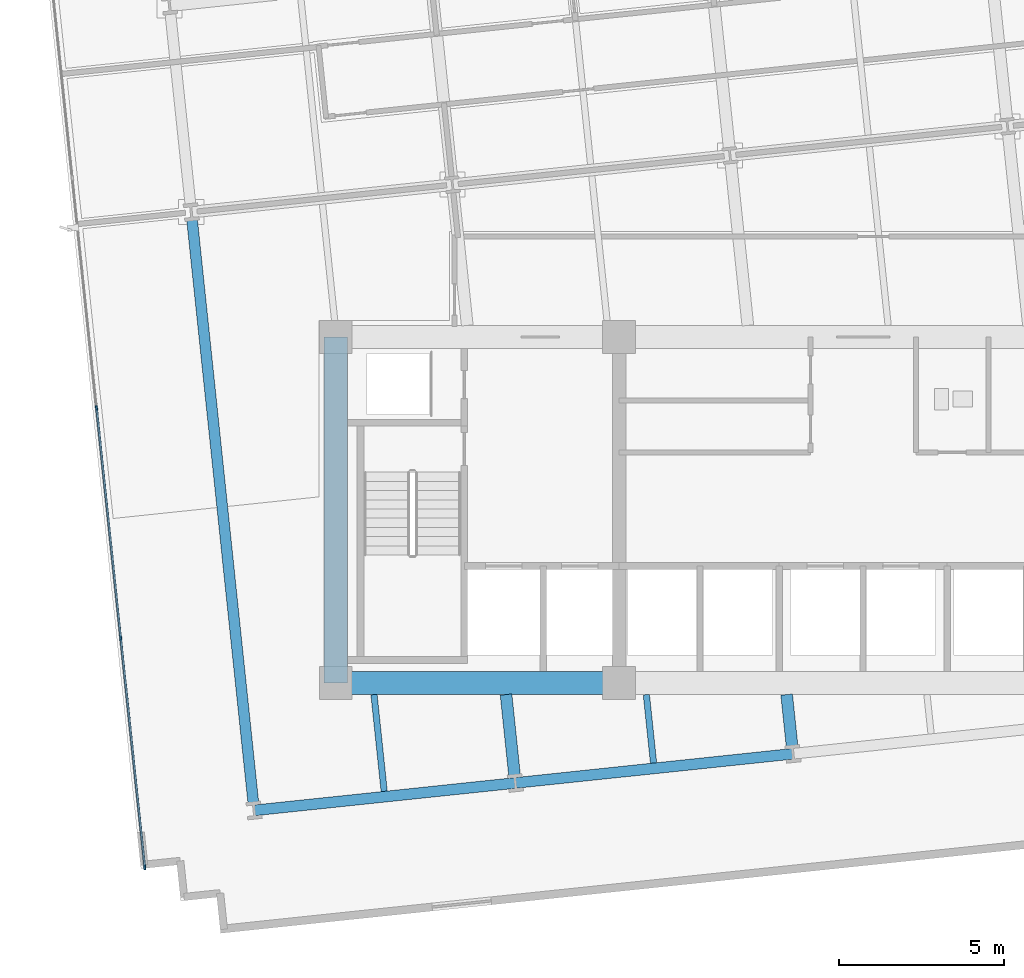
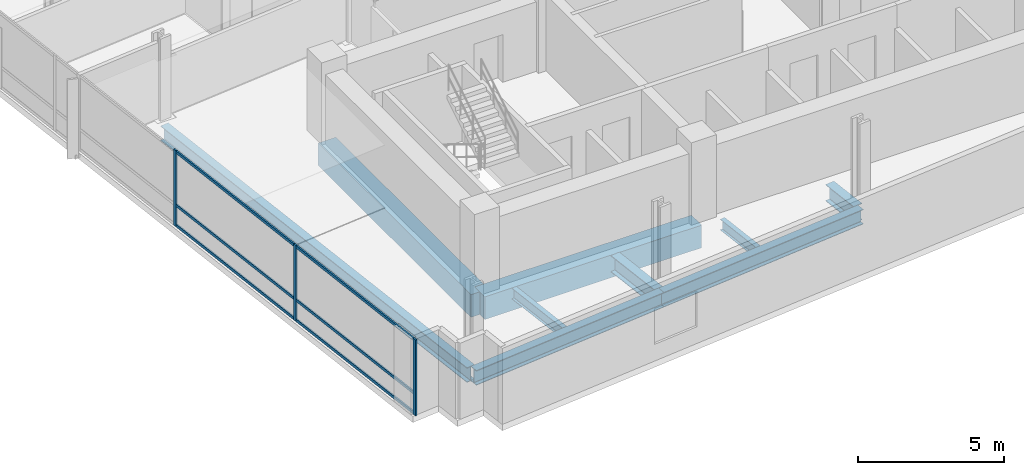
# One storey, part 2 of 21: 9 beams, 9 members, 1 element without a shape of its own.
"""IFC4 building model written with IfcOpenShell, lengths in metres."""

from ifc_helpers import new_model, si_unit, direction, frame, origin, origin_2d, place, context, subcontext, project, spatial, rectangle, i_section, extrude, material, material_profile, profile_set, type_object, element, aggregate, save


model = new_model("IFC4")

# Units and contexts
model_context = context("Model", 3, precision=1e-05, world=origin(), true_north=direction((0.0, 1.0)))
body_context = subcontext(model_context, "Body", "Model", "MODEL_VIEW")
ifc_project = project(units=[si_unit("LENGTHUNIT", "METRE"), si_unit("AREAUNIT", "SQUARE_METRE"), si_unit("VOLUMEUNIT", "CUBIC_METRE"), si_unit("PLANEANGLEUNIT", "RADIAN"), si_unit("MASSUNIT", "GRAM", prefix="KILO")], contexts=[model_context])

# Site, building, storey
site_placement = place(None, origin())
site = spatial("IfcSite", under=ifc_project, at=site_placement, CompositionType="ELEMENT")
building_placement = place(site_placement, origin())
building = spatial("IfcBuilding", under=site, at=building_placement, Name="Solmavex Isthmus Hotel", CompositionType="ELEMENT")
storey_placement = place(building_placement, frame((0.0, 0.0, 106.35009765625)))
storey = spatial("IfcBuildingStorey", under=building, at=storey_placement, Name="L28", CompositionType="ELEMENT", Elevation=106.35009765625)

# Beams
ifc_material_1 = material(Name="Steel ASTM A992 Grade 50", Category="steel")
ifc_material_profile_1 = material_profile(ifc_material_1, i_section(OverallWidth=0.354736328125, OverallDepth=0.695556640625, WebThickness=0.015380859375, FlangeThickness=0.02490234375, FilletRadius=0.017822265625, at=origin_2d()), Name="W27X146")
ifc_profile_set_1 = profile_set([ifc_material_profile_1], Name="Steel ASTM A992 Grade 50")
beam_type_1 = type_object("IfcBeamType", Name="BM-BG-W27X146", PredefinedType="BEAM", material=ifc_profile_set_1)
beam_1_placement = place(storey_placement, frame((-10.568115234375, -15.868896484375, -0.60791015625), z_axis=(-0.104589444628, 0.994515484079, 0.0), x_axis=(-0.994515484079, -0.104589444628, 0.0)))
element("IfcBeam", 1, at=beam_1_placement, inside=storey, type_object=beam_type_1, Name="Floor Beam L28-VG28", PredefinedType="BEAM", context=body_context, shape_type="SweptSolid", body=[
    extrude(i_section(OverallWidth=0.354736328125, OverallDepth=0.695556640625, WebThickness=0.015380859375, FlangeThickness=0.02490234375, FilletRadius=0.017822265625, at=origin_2d()), origin(), (0.0, 0.0, 1.0), 2.53271484375),
])
beam_2_placement = place(storey_placement, frame((-2.148681640625, -14.984130859375, -0.60791015625), z_axis=(-0.104460468373, 0.99452903957, 0.0), x_axis=(-0.99452903957, -0.104460468373, 0.0)))
element("IfcBeam", 2, at=beam_2_placement, inside=storey, type_object=beam_type_1, Name="Floor Beam L28-VG32", PredefinedType="BEAM", context=body_context, shape_type="SweptSolid", body=[
    extrude(i_section(OverallWidth=0.354736328125, OverallDepth=0.695556640625, WebThickness=0.015380859375, FlangeThickness=0.02490234375, FilletRadius=0.017822265625, at=origin_2d()), origin(), (0.0, 0.0, 1.0), 1.64306640625),
])
ifc_material_profile_2 = material_profile(ifc_material_1, i_section(OverallWidth=0.1904296875, OverallDepth=0.456787109375, WebThickness=0.009033203125, FlangeThickness=0.014404296875, FilletRadius=0.0126953125, at=origin_2d()), Name="W18X50")
ifc_profile_set_2 = profile_set([ifc_material_profile_2], Name="Steel ASTM A992 Grade 50")
beam_type_2 = type_object("IfcBeamType", Name="BM-BJ-W18X50", PredefinedType="JOIST", material=ifc_profile_set_2)
beam_3_placement = place(storey_placement, frame((-14.5302734375, -16.285400390625, -0.488525390625), z_axis=(-0.104555607512, 0.994519042019, 0.0), x_axis=(-0.994519042019, -0.104555607512, 0.0)))
element("IfcBeam", 3, at=beam_3_placement, inside=storey, type_object=beam_type_2, Name="Secondary Floor Joist L28-J01", PredefinedType="JOIST", context=body_context, shape_type="SweptSolid", body=[
    extrude(i_section(OverallWidth=0.1904296875, OverallDepth=0.456787109375, WebThickness=0.009033203125, FlangeThickness=0.014404296875, FilletRadius=0.0126953125, at=origin_2d()), origin(), (0.0, 0.0, 1.0), 2.951416015625),
])
beam_4_placement = place(storey_placement, frame((-6.3583984375, -15.426513671875, -0.488525390625), z_axis=(-0.104538696399, 0.99452081977, 0.0), x_axis=(-0.99452081977, -0.104538696399, 0.0)))
element("IfcBeam", 4, at=beam_4_placement, inside=storey, type_object=beam_type_2, Name="Secondary Floor Joist L28-J05", PredefinedType="JOIST", context=body_context, shape_type="SweptSolid", body=[
    extrude(i_section(OverallWidth=0.1904296875, OverallDepth=0.456787109375, WebThickness=0.009033203125, FlangeThickness=0.014404296875, FilletRadius=0.0126953125, at=origin_2d()), origin(), (0.0, 0.0, 1.0), 2.087890625),
])
ifc_material_2 = material(Name="Concrete C60/75", Category="concrete")
ifc_material_profile_3 = material_profile(ifc_material_2, rectangle(XDim=0.699951171875, YDim=0.949951171875, at=origin_2d()), Name="RC700X950")
ifc_profile_set_3 = profile_set([ifc_material_profile_3], Name="Concrete C60/75")
beam_type_3 = type_object("IfcBeamType", Name="BM-CB-700X950", PredefinedType="BEAM", material=ifc_profile_set_3)
beam_5_placement = place(storey_placement, frame((-16.0, -13.0, -0.735107421875), z_axis=(1.0, 0.0, 0.0), x_axis=(0.0, 1.0, 0.0)))
element("IfcBeam", 5, at=beam_5_placement, inside=storey, type_object=beam_type_3, Name="Core Coupling Beam L28-CB1", PredefinedType="BEAM", context=body_context, shape_type="SweptSolid", body=[
    extrude(rectangle(XDim=0.699951171875, YDim=0.949951171875, at=origin_2d()), origin(), (0.0, 0.0, 1.0), 8.60009765625),
])
beam_6_placement = place(storey_placement, frame((-16.0, -13.0, -0.735107421875), z_axis=(0.0, 1.0, 0.0), x_axis=(-1.0, 0.0, 0.0)))
element("IfcBeam", 6, at=beam_6_placement, inside=storey, type_object=beam_type_3, Name="Core Coupling Beam L28-CB7", PredefinedType="BEAM", context=body_context, shape_type="SweptSolid", body=[
    extrude(rectangle(XDim=0.699951171875, YDim=0.949951171875, at=origin_2d()), origin(), (0.0, 0.0, 1.0), 10.5),
])
ifc_material_profile_4 = material_profile(ifc_material_1, i_section(OverallWidth=0.326416015625, OverallDepth=0.621826171875, WebThickness=0.015380859375, FlangeThickness=0.0244140625, FilletRadius=0.01513671875, at=origin_2d()), Name="W24X131")
ifc_profile_set_4 = profile_set([ifc_material_profile_4], Name="Steel ASTM A992 Grade 50")
beam_type_4 = type_object("IfcBeamType", Name="BM-SP-W24X131", PredefinedType="SPANDREL", material=ifc_profile_set_4)
beam_7_placement = place(storey_placement, frame((-18.475341796875, -16.8642578125, -0.571044921875), z_axis=(0.994523402738, 0.104514120609, 0.0), x_axis=(-0.104514120609, 0.994523402738, 0.0)))
element("IfcBeam", 7, at=beam_7_placement, inside=storey, type_object=beam_type_4, Name="Floor Girder L28-UG01", PredefinedType="SPANDREL", context=body_context, shape_type="SweptSolid", body=[
    extrude(i_section(OverallWidth=0.326416015625, OverallDepth=0.621826171875, WebThickness=0.015380859375, FlangeThickness=0.0244140625, FilletRadius=0.01513671875, at=origin_2d()), origin(), (0.0, 0.0, 1.0), 7.968017578125),
])
beam_8_placement = place(storey_placement, frame((-10.551025390625, -16.031494140625, -0.571044921875), z_axis=(0.994520770064, 0.104539169271, 0.0), x_axis=(-0.104539169271, 0.994520770064, 0.0)))
element("IfcBeam", 8, at=beam_8_placement, inside=storey, type_object=beam_type_4, Name="Floor Girder L28-UG02", PredefinedType="SPANDREL", context=body_context, shape_type="SweptSolid", body=[
    extrude(i_section(OverallWidth=0.326416015625, OverallDepth=0.621826171875, WebThickness=0.015380859375, FlangeThickness=0.0244140625, FilletRadius=0.01513671875, at=origin_2d()), origin(), (0.0, 0.0, 1.0), 8.4658203125),
])
beam_9_placement = place(storey_placement, frame((-18.492431640625, -16.701904296875, -0.571044921875), z_axis=(-0.104530088192, 0.99452172458, 0.0), x_axis=(-0.99452172458, -0.104530088192, 0.0)))
element("IfcBeam", 9, at=beam_9_placement, inside=storey, type_object=beam_type_4, Name="Floor Beam L28-VG25", PredefinedType="SPANDREL", context=body_context, shape_type="SweptSolid", body=[
    extrude(i_section(OverallWidth=0.326416015625, OverallDepth=0.621826171875, WebThickness=0.015380859375, FlangeThickness=0.0244140625, FilletRadius=0.01513671875, at=origin_2d()), origin(), (0.0, 0.0, 1.0), 17.909423828125),
])

# Curtain wall, members
ifc_material_3 = material(Name="Aluminium alloy 6063-T6", Category="aluminium")
curtain_wall_type = type_object("IfcCurtainWallType", Name="CW-SYS-06", PredefinedType="NOTDEFINED", material=ifc_material_3)
curtain_wall_placement = place(storey_placement, origin())
curtain_wall = element("IfcCurtainWall", 10, at=curtain_wall_placement, inside=storey, type_object=curtain_wall_type, Name="Stick Curtain Wall CWL-L28-W1", PredefinedType="NOTDEFINED")
ifc_material_profile_5 = material_profile(ifc_material_3, rectangle(XDim=0.06005859375, YDim=0.139892578125, at=origin_2d()), Name="CWM-60X140")
ifc_profile_set_5 = profile_set([ifc_material_profile_5], Name="Aluminium alloy 6063-T6")
member_type_1 = type_object("IfcMemberType", Name="CW-SYS-06-MUL", PredefinedType="MULLION", material=ifc_profile_set_5)
member_1_placement = place(storey_placement, frame((-21.793212890625, -18.590576171875, 0.0), z_axis=(0.0, 0.0, 1.0), x_axis=(-0.994521893044, -0.104528485381, 0.0)))
member_1 = element("IfcMember", 11, at=member_1_placement, type_object=member_type_1, Name="CW-06 mullion 1", PredefinedType="MULLION", context=body_context, shape_type="SweptSolid", body=[
    extrude(rectangle(XDim=0.06005859375, YDim=0.139892578125, at=origin_2d()), origin(), (0.0, 0.0, 1.0), 3.18994140625),
])
member_2_placement = place(storey_placement, frame((-22.52392578125, -11.638916015625, 0.0), z_axis=(0.0, 0.0, 1.0), x_axis=(-0.994521893044, -0.104528485381, 0.0)))
member_2 = element("IfcMember", 12, at=member_2_placement, type_object=member_type_1, Name="CW-06 mullion 2", PredefinedType="MULLION", context=body_context, shape_type="SweptSolid", body=[
    extrude(rectangle(XDim=0.06005859375, YDim=0.139892578125, at=origin_2d()), origin(), (0.0, 0.0, 1.0), 3.18994140625),
])
member_3_placement = place(storey_placement, frame((-23.257568359375, -4.6572265625, 0.0), z_axis=(0.0, 0.0, 1.0), x_axis=(-0.994521893044, -0.104528485381, 0.0)))
member_3 = element("IfcMember", 13, at=member_3_placement, type_object=member_type_1, Name="CW-06 mullion 3", PredefinedType="MULLION", context=body_context, shape_type="SweptSolid", body=[
    extrude(rectangle(XDim=0.06005859375, YDim=0.139892578125, at=origin_2d()), origin(), (0.0, 0.0, 1.0), 3.18994140625),
])
ifc_material_profile_6 = material_profile(ifc_material_3, rectangle(XDim=0.06005859375, YDim=0.114990234375, at=origin_2d()), Name="CWT-60X115")
ifc_profile_set_6 = profile_set([ifc_material_profile_6], Name="Aluminium alloy 6063-T6")
member_type_2 = type_object("IfcMemberType", Name="CW-SYS-06-TRN", PredefinedType="USERDEFINED", material=ifc_profile_set_6)
member_4_placement = place(storey_placement, frame((-21.79638671875, -18.560791015625, 0.057373046875), z_axis=(-0.10452523802, 0.99452223435, 0.0), x_axis=(-0.99452223435, -0.10452523802, 0.0)))
member_4 = element("IfcMember", 14, at=member_4_placement, type_object=member_type_2, Name="CW-06 transom 1.1", ObjectType="TRANSOM", PredefinedType="USERDEFINED", context=body_context, shape_type="SweptSolid", body=[
    extrude(rectangle(XDim=0.06005859375, YDim=0.114990234375, at=origin_2d()), origin(), (0.0, 0.0, 1.0), 6.929931640625),
])
member_5_placement = place(storey_placement, frame((-21.79638671875, -18.560791015625, 0.89990234375), z_axis=(-0.10452523802, 0.99452223435, 0.0), x_axis=(-0.99452223435, -0.10452523802, 0.0)))
member_5 = element("IfcMember", 15, at=member_5_placement, type_object=member_type_2, Name="CW-06 transom 1.2", ObjectType="TRANSOM", PredefinedType="USERDEFINED", context=body_context, shape_type="SweptSolid", body=[
    extrude(rectangle(XDim=0.06005859375, YDim=0.114990234375, at=origin_2d()), origin(), (0.0, 0.0, 1.0), 6.929931640625),
])
member_6_placement = place(storey_placement, frame((-21.79638671875, -18.560791015625, 3.13232421875), z_axis=(-0.10452523802, 0.99452223435, 0.0), x_axis=(-0.99452223435, -0.10452523802, 0.0)))
member_6 = element("IfcMember", 16, at=member_6_placement, type_object=member_type_2, Name="CW-06 transom 1.3", ObjectType="TRANSOM", PredefinedType="USERDEFINED", context=body_context, shape_type="SweptSolid", body=[
    extrude(rectangle(XDim=0.06005859375, YDim=0.114990234375, at=origin_2d()), origin(), (0.0, 0.0, 1.0), 6.929931640625),
])
member_7_placement = place(storey_placement, frame((-22.527099609375, -11.60888671875, 0.057373046875), z_axis=(-0.104496708081, 0.99452523246, 0.0), x_axis=(-0.99452523246, -0.104496708081, 0.0)))
member_7 = element("IfcMember", 17, at=member_7_placement, type_object=member_type_2, Name="CW-06 transom 2.1", ObjectType="TRANSOM", PredefinedType="USERDEFINED", context=body_context, shape_type="SweptSolid", body=[
    extrude(rectangle(XDim=0.06005859375, YDim=0.114990234375, at=origin_2d()), origin(), (0.0, 0.0, 1.0), 6.9599609375),
])
member_8_placement = place(storey_placement, frame((-22.527099609375, -11.60888671875, 0.89990234375), z_axis=(-0.104496708081, 0.99452523246, 0.0), x_axis=(-0.99452523246, -0.104496708081, 0.0)))
member_8 = element("IfcMember", 18, at=member_8_placement, type_object=member_type_2, Name="CW-06 transom 2.2", ObjectType="TRANSOM", PredefinedType="USERDEFINED", context=body_context, shape_type="SweptSolid", body=[
    extrude(rectangle(XDim=0.06005859375, YDim=0.114990234375, at=origin_2d()), origin(), (0.0, 0.0, 1.0), 6.9599609375),
])
member_9_placement = place(storey_placement, frame((-22.527099609375, -11.60888671875, 3.13232421875), z_axis=(-0.104496708081, 0.99452523246, 0.0), x_axis=(-0.99452523246, -0.104496708081, 0.0)))
member_9 = element("IfcMember", 19, at=member_9_placement, type_object=member_type_2, Name="CW-06 transom 2.3", ObjectType="TRANSOM", PredefinedType="USERDEFINED", context=body_context, shape_type="SweptSolid", body=[
    extrude(rectangle(XDim=0.06005859375, YDim=0.114990234375, at=origin_2d()), origin(), (0.0, 0.0, 1.0), 6.9599609375),
])
aggregate(curtain_wall, [member_1, member_2, member_3, member_4, member_5, member_6, member_7, member_8, member_9])

save(model, "model.ifc")
